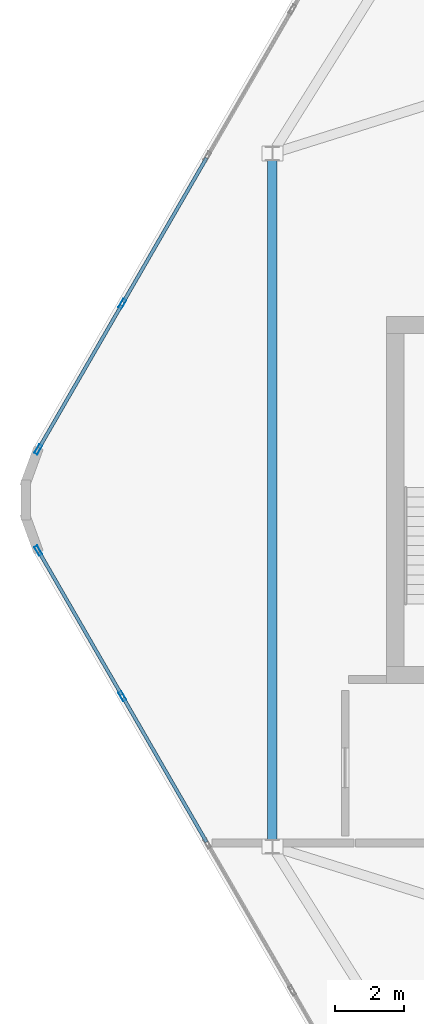
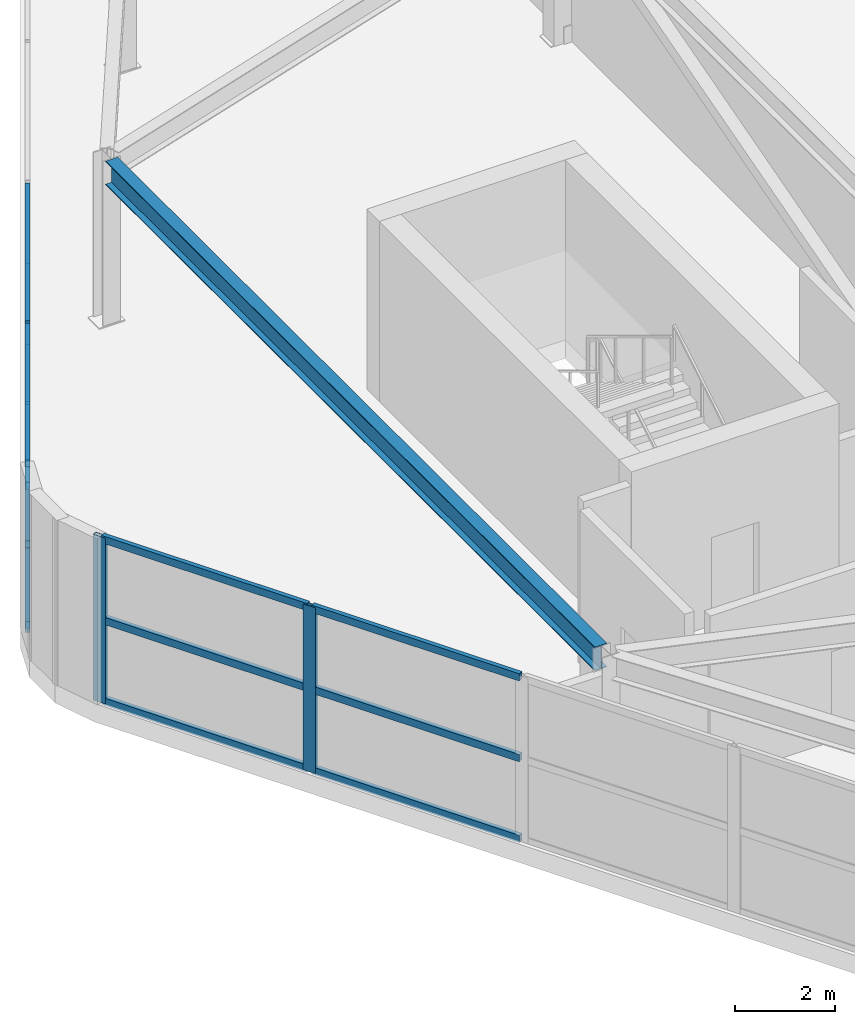
# One storey, part 5 of 17: 16 members, 1 beam, 2 elements without a shape of their own.
"""IFC4 building model written with IfcOpenShell, lengths in metres."""

import ifcopenshell
import ifcopenshell.guid

model = None  # the IFC model being written
_history = None  # IfcOwnerHistory: only IFC2X3 demands one
_inside = {}  # id of a spatial element -> (the spatial element, [elements in it])
_under = {}  # id of a project, library or spatial element -> (it, [spatial elements below it])
_declared = {}  # id of a project -> (the project, [libraries it declares])
_typed = {}  # id of a type object -> (the type object, [elements of that type])
_made_of = {}  # id of a material, layer set ... -> (it, [elements and type objects made of it])


def new_model(schema):
    """Start an empty IFC model of exactly this schema.

    Asked for "IFC4X3", IfcOpenShell would pick the latest addendum, in which some entities
    have other attributes; the version numbers below select the first issue.
    IFC2X3 requires an IfcOwnerHistory on every rooted entity: one is made here for all.
    """
    global model, _history
    if schema == "IFC4X3":
        model = ifcopenshell.file(schema_version=(4, 3, 0, 0))
    else:
        model = ifcopenshell.file(schema=schema)
    _inside.clear()
    _under.clear()
    _declared.clear()
    _typed.clear()
    _made_of.clear()
    _history = None
    if model.schema == "IFC2X3":
        org = make("IfcOrganization", Name="unknown")
        user = make(
            "IfcPersonAndOrganization",
            ThePerson=make("IfcPerson", FamilyName="unknown"),
            TheOrganization=org,
        )
        app = make(
            "IfcApplication",
            ApplicationDeveloper=org,
            Version="unknown",
            ApplicationFullName="unknown",
            ApplicationIdentifier="unknown",
        )
        _history = make(
            "IfcOwnerHistory",
            OwningUser=user,
            OwningApplication=app,
            ChangeAction="ADDED",
            CreationDate=0,
        )
    return model


def make(cls, **values):
    """One entity of the class cls with the attributes given. An attribute that is None is left unset."""
    return model.create_entity(
        cls, **{name: value for name, value in values.items() if value is not None}
    )


def rooted(cls, **values):
    """An entity with a GlobalId (a new one), such as an element, a storey or a relation."""
    return make(cls, GlobalId=ifcopenshell.guid.new(), OwnerHistory=_history, **values)


def si_unit(unit_type, name, prefix=None):
    """IfcSIUnit, for example si_unit("LENGTHUNIT", "METRE", prefix="MILLI")."""
    return make("IfcSIUnit", UnitType=unit_type, Prefix=prefix, Name=name)


def assignment(units):
    """IfcUnitAssignment: the units of a project."""
    return None if units is None else make("IfcUnitAssignment", Units=units)


def point(xyz):
    """IfcCartesianPoint."""
    return None if xyz is None else make("IfcCartesianPoint", Coordinates=xyz)


def direction(xyz):
    """IfcDirection."""
    return None if xyz is None else make("IfcDirection", DirectionRatios=xyz)


def frame(location, z_axis=None, x_axis=None):
    """IfcAxis2Placement3D, a coordinate frame: its origin and axes. An axis left out is left unset."""
    return make(
        "IfcAxis2Placement3D",
        Location=point(location),
        Axis=direction(z_axis),
        RefDirection=direction(x_axis),
    )


def frame_2d(location, x_axis=None):
    """IfcAxis2Placement2D, a coordinate frame in the plane: its origin and x axis."""
    return make(
        "IfcAxis2Placement2D", Location=point(location), RefDirection=direction(x_axis)
    )


def origin():
    """The frame at (0, 0, 0) with its axes left unset."""
    return frame((0.0, 0.0, 0.0))


def origin_2d():
    """The frame at (0, 0) in the plane with its x axis left unset."""
    return frame_2d((0.0, 0.0))


def place(relative_to, where):
    """IfcLocalPlacement: puts the frame where relative to a parent placement (None: the world)."""
    return make(
        "IfcLocalPlacement", PlacementRelTo=relative_to, RelativePlacement=where
    )


def context(
    kind, dimensions, precision=None, world=None, true_north=None, identifier=None
):
    """IfcGeometricRepresentationContext, for example the 3D "Model" context."""
    return make(
        "IfcGeometricRepresentationContext",
        ContextIdentifier=identifier,
        ContextType=kind,
        CoordinateSpaceDimension=dimensions,
        Precision=precision,
        WorldCoordinateSystem=world,
        TrueNorth=true_north,
    )


def subcontext(parent, identifier, kind, view, scale=None):
    """IfcGeometricRepresentationSubContext, for example "Body" below "Model"."""
    return make(
        "IfcGeometricRepresentationSubContext",
        ContextIdentifier=identifier,
        ContextType=kind,
        ParentContext=parent,
        TargetScale=scale,
        TargetView=view,
    )


def project(units=None, contexts=None):
    """IfcProject with its units and contexts."""
    return rooted(
        "IfcProject",
        Name="project",
        RepresentationContexts=contexts,
        UnitsInContext=assignment(units),
    )


def spatial(cls, under=None, at=None, **own):
    """A site, building, storey or space (cls), placed at a placement, below another one or the project."""
    s = rooted(cls, ObjectPlacement=at, **own)
    if under is not None:
        _under.setdefault(under.id(), (under, []))[1].append(s)
    return s


def profile(cls, at=None, kind="AREA", **sizes):
    """A parametric profile (cls). Its sizes go by their IFC names, for example OverallWidth=200.0."""
    return make(cls, ProfileType=kind, Position=at, **sizes)


def hollow_rectangle(**sizes):
    """IfcRectangleHollowProfileDef."""
    return profile("IfcRectangleHollowProfileDef", **sizes)


def i_section(**sizes):
    """IfcIShapeProfileDef."""
    return profile("IfcIShapeProfileDef", **sizes)


def extrude(swept, where, along, depth):
    """IfcExtrudedAreaSolid: the profile swept, set in the frame where, extruded along a direction by depth."""
    return make(
        "IfcExtrudedAreaSolid",
        SweptArea=swept,
        Position=where,
        ExtrudedDirection=direction(along),
        Depth=depth,
    )


def shape(context_of_items, identifier, shape_type, items):
    """IfcShapeRepresentation: the items that make up one representation, for example the "Body"."""
    return make(
        "IfcShapeRepresentation",
        ContextOfItems=context_of_items,
        RepresentationIdentifier=identifier,
        RepresentationType=shape_type,
        Items=items,
    )


def material(Name=None, Category=None):
    """IfcMaterial."""
    return make("IfcMaterial", Name=Name, Category=Category)


def material_profile(
    of_material, cross_section, Name=None, Category=None, Priority=None
):
    """IfcMaterialProfile: a cross section and its material."""
    return make(
        "IfcMaterialProfile",
        Name=Name,
        Material=of_material,
        Profile=cross_section,
        Priority=Priority,
        Category=Category,
    )


def profile_set(profiles, Name=None, composite=None):
    """IfcMaterialProfileSet."""
    return make(
        "IfcMaterialProfileSet",
        Name=Name,
        MaterialProfiles=profiles,
        CompositeProfile=composite,
    )


def made_of(thing, what):
    """Note that an element or type object is made of a material, layer set ...; save() writes the relation."""
    if what is not None:
        _made_of.setdefault(what.id(), (what, []))[1].append(thing)
    return thing


def type_object(cls, material=None, **own):
    """A type object (cls), such as IfcWallType, which elements share."""
    return made_of(rooted(cls, **own), material)


def element(
    cls,
    number,
    at=None,
    inside=None,
    cuts=None,
    type_object=None,
    material=None,
    context=None,
    identifier="Body",
    shape_type=None,
    held_by="IfcProductDefinitionShape",
    body=None,
    shapes=None,
    **own,
):
    """One element of the class cls, such as IfcWall. Its Tag is "e" and its number.

    at: its placement. inside: the storey or other place that contains it. cuts: it is an
    opening in that element (IfcRelVoidsElement). A single representation is given by context,
    identifier, shape_type and body (its items); several are given by shapes. held_by: the class
    of the entity that holds the representations. save() writes the other relations.
    """
    e = rooted(cls, Tag="e%d" % number, ObjectPlacement=at, **own)
    if body is not None:
        shapes = [shape(context, identifier, shape_type, body)]
    if shapes is not None:
        e.Representation = make(held_by, Representations=shapes)
    if inside is not None:
        _inside.setdefault(inside.id(), (inside, []))[1].append(e)
    if cuts is not None:
        rooted(
            "IfcRelVoidsElement", RelatingBuildingElement=cuts, RelatedOpeningElement=e
        )
    if type_object is not None:
        _typed.setdefault(type_object.id(), (type_object, []))[1].append(e)
    return made_of(e, material)


def aggregate(whole, parts):
    """IfcRelAggregates: a whole, such as a stair, and the parts it consists of."""
    return rooted("IfcRelAggregates", RelatingObject=whole, RelatedObjects=parts)


def save(model, path):
    """Write the relations noted so far, then the file.

    IfcRelAggregates (storeys below a building ...), IfcRelContainedInSpatialStructure (elements
    in a storey), IfcRelDefinesByType, IfcRelAssociatesMaterial and IfcRelDeclares: one each for
    every whole, place, type object, material and project.
    """
    for whole, parts in _under.values():
        aggregate(whole, parts)
    for where, things in _inside.values():
        rooted(
            "IfcRelContainedInSpatialStructure",
            RelatedElements=things,
            RelatingStructure=where,
        )
    for kind, things in _typed.values():
        rooted("IfcRelDefinesByType", RelatedObjects=things, RelatingType=kind)
    for what, things in _made_of.values():
        rooted("IfcRelAssociatesMaterial", RelatedObjects=things, RelatingMaterial=what)
    for by, libraries in _declared.values():
        rooted("IfcRelDeclares", RelatingContext=by, RelatedDefinitions=libraries)
    model.write(path)


model = new_model("IFC4")

# Units and contexts
model_context = context("Model", 3, precision=1e-05, world=origin(), true_north=direction((0.0, 1.0)))
body_context = subcontext(model_context, "Body", "Model", "MODEL_VIEW")
ifc_project = project(units=[si_unit("LENGTHUNIT", "METRE"), si_unit("AREAUNIT", "SQUARE_METRE"), si_unit("VOLUMEUNIT", "CUBIC_METRE"), si_unit("PLANEANGLEUNIT", "RADIAN"), si_unit("MASSUNIT", "GRAM", prefix="KILO")], contexts=[model_context])

# Site, building, storey
site_placement = place(None, origin())
site = spatial("IfcSite", under=ifc_project, at=site_placement, CompositionType="ELEMENT")
building_placement = place(site_placement, origin())
building = spatial("IfcBuilding", under=site, at=building_placement, Name="Zuhravey Tower", CompositionType="ELEMENT")
storey_placement = place(building_placement, frame((0.0, 0.0, 361.39990234375)))
storey = spatial("IfcBuildingStorey", under=building, at=storey_placement, Name="L92", CompositionType="ELEMENT", Elevation=361.39990234375)

# Curtain wall, members
ifc_material_1 = material(Name="Thermally broken anodised aluminium", Category="aluminium")
curtain_wall_type = type_object("IfcCurtainWallType", Name="Split-Top Crown Screened Curtain Wall CW6", PredefinedType="NOTDEFINED", material=ifc_material_1)
curtain_wall_1_placement = place(storey_placement, origin())
curtain_wall_1 = element("IfcCurtainWall", 1, at=curtain_wall_1_placement, inside=storey, type_object=curtain_wall_type, Name="L92 CW6 CW6-L92-WEST-04", PredefinedType="NOTDEFINED")
ifc_material_2 = material(Name="Anodised aluminium", Category="aluminium")
ifc_material_profile_1 = material_profile(ifc_material_2, hollow_rectangle(XDim=0.10009765625, YDim=0.2900390625, WallThickness=0.006103515625, at=origin_2d()), Name="ALU-RHS-100x290x6")
ifc_profile_set_1 = profile_set([ifc_material_profile_1], Name="Anodised aluminium")
member_type_1 = type_object("IfcMemberType", Name="Heavy Tall-Storey Mullion 100x220", PredefinedType="MULLION", material=ifc_profile_set_1)
member_1_placement = place(storey_placement, frame((11.471923828125, 26.3359375, 0.0), z_axis=(0.0, 0.0, 1.0), x_axis=(-0.866027063754, -0.499997124838, 0.0)))
member_1 = element("IfcMember", 2, at=member_1_placement, type_object=member_type_1, Name="CW6 mullion 5", PredefinedType="MULLION", context=body_context, shape_type="SweptSolid", body=[
    extrude(hollow_rectangle(XDim=0.10009765625, YDim=0.2900390625, WallThickness=0.006103515625, at=origin_2d()), origin(), (0.0, 0.0, 1.0), 4.050048828125),
])
member_2_placement = place(storey_placement, frame((9.0439453125, 30.541015625, 0.0), z_axis=(0.0, 0.0, 1.0), x_axis=(-0.866027063754, -0.499997124838, 0.0)))
member_2 = element("IfcMember", 3, at=member_2_placement, type_object=member_type_1, Name="CW6 mullion 6", PredefinedType="MULLION", context=body_context, shape_type="SweptSolid", body=[
    extrude(hollow_rectangle(XDim=0.10009765625, YDim=0.2900390625, WallThickness=0.006103515625, at=origin_2d()), origin(), (0.0, 0.0, 1.0), 4.050048828125),
])

curtain_wall_2_placement = place(storey_placement, origin())
curtain_wall_2 = element("IfcCurtainWall", 4, at=curtain_wall_2_placement, inside=storey, type_object=curtain_wall_type, Name="L92 CW6 CW6-L92-WEST-08", PredefinedType="NOTDEFINED")
member_3_placement = place(storey_placement, frame((9.0439453125, 33.458984375, 0.0), z_axis=(0.0, 0.0, 1.0), x_axis=(-0.866027063754, 0.499997124838, 0.0)))
member_3 = element("IfcMember", 5, at=member_3_placement, type_object=member_type_1, Name="CW6 mullion 1", PredefinedType="MULLION", context=body_context, shape_type="SweptSolid", body=[
    extrude(hollow_rectangle(XDim=0.10009765625, YDim=0.2900390625, WallThickness=0.006103515625, at=origin_2d()), origin(), (0.0, 0.0, 1.0), 4.050048828125),
])
member_4_placement = place(storey_placement, frame((11.471923828125, 37.6640625, 0.0), z_axis=(0.0, 0.0, 1.0), x_axis=(-0.866027063754, 0.499997124838, 0.0)))
member_4 = element("IfcMember", 6, at=member_4_placement, type_object=member_type_1, Name="CW6 mullion 2", PredefinedType="MULLION", context=body_context, shape_type="SweptSolid", body=[
    extrude(hollow_rectangle(XDim=0.10009765625, YDim=0.2900390625, WallThickness=0.006103515625, at=origin_2d()), origin(), (0.0, 0.0, 1.0), 4.050048828125),
])

# Beam
ifc_material_3 = material(Name="Steel SM355", Category="steel")
ifc_material_profile_2 = material_profile(ifc_material_3, i_section(OverallWidth=0.280029296875, OverallDepth=0.580078125, WebThickness=0.011962890625, FlangeThickness=0.01904296875, at=origin_2d()), Name="H-580x280x12x19")
ifc_profile_set_2 = profile_set([ifc_material_profile_2], Name="Steel SM355")
beam_type = type_object("IfcBeamType", Name="Perimeter Ring Beam H580x280", PredefinedType="BEAM", material=ifc_profile_set_2)
beam_placement = place(storey_placement, frame((15.800048828125, 22.2041015625, 3.760009765625), z_axis=(0.0, 1.0, 0.0), x_axis=(-1.0, 0.0, 0.0)))
element("IfcBeam", 7, at=beam_placement, inside=storey, type_object=beam_type, Name="L92 PB4 BM-L92-WCR-0-1", PredefinedType="BEAM", context=body_context, shape_type="SweptSolid", body=[
    extrude(i_section(OverallWidth=0.280029296875, OverallDepth=0.580078125, WebThickness=0.011962890625, FlangeThickness=0.01904296875, at=origin_2d()), origin(), (0.0, 0.0, 1.0), 19.591796875),
])

# Member
ifc_material_profile_3 = material_profile(ifc_material_2, hollow_rectangle(XDim=0.10009765625, YDim=0.179931640625, WallThickness=0.006103515625, at=origin_2d()), Name="ALU-RHS-100x180x6")
ifc_profile_set_3 = profile_set([ifc_material_profile_3], Name="Anodised aluminium")
member_type_2 = type_object("IfcMemberType", Name="Tall-Storey Transom 100x180", PredefinedType="USERDEFINED", material=ifc_profile_set_3)
member_5_placement = place(storey_placement, frame((13.89990234375, 22.130615234375, 0.050048828125), z_axis=(-0.50003466983, 0.866005386223, 0.0), x_axis=(-0.866005386223, -0.50003466983, 0.0)))
member_5 = element("IfcMember", 8, at=member_5_placement, type_object=member_type_2, Name="CW6 transom 4.1", ObjectType="TRANSOM", PredefinedType="USERDEFINED", context=body_context, shape_type="SweptSolid", body=[
    extrude(hollow_rectangle(XDim=0.10009765625, YDim=0.179931640625, WallThickness=0.006103515625, at=origin_2d()), origin(), (0.0, 0.0, 1.0), 4.805908203125),
])

member_6_placement = place(storey_placement, frame((13.89990234375, 22.130615234375, 2.025146484375), z_axis=(-0.50003466983, 0.866005386223, 0.0), x_axis=(-0.866005386223, -0.50003466983, 0.0)))
member_6 = element("IfcMember", 9, at=member_6_placement, type_object=member_type_2, Name="CW6 transom 4.2", ObjectType="TRANSOM", PredefinedType="USERDEFINED", context=body_context, shape_type="SweptSolid", body=[
    extrude(hollow_rectangle(XDim=0.10009765625, YDim=0.179931640625, WallThickness=0.006103515625, at=origin_2d()), origin(), (0.0, 0.0, 1.0), 4.805908203125),
])

member_7_placement = place(storey_placement, frame((13.89990234375, 22.130615234375, 4.0), z_axis=(-0.50003466983, 0.866005386223, 0.0), x_axis=(-0.866005386223, -0.50003466983, 0.0)))
member_7 = element("IfcMember", 10, at=member_7_placement, type_object=member_type_2, Name="CW6 transom 4.3", ObjectType="TRANSOM", PredefinedType="USERDEFINED", context=body_context, shape_type="SweptSolid", body=[
    extrude(hollow_rectangle(XDim=0.10009765625, YDim=0.179931640625, WallThickness=0.006103515625, at=origin_2d()), origin(), (0.0, 0.0, 1.0), 4.805908203125),
])

member_8_placement = place(storey_placement, frame((11.447021484375, 26.379150390625, 0.050048828125), z_axis=(-0.500003887042, 0.866023159588, 0.0), x_axis=(-0.866023159588, -0.500003887042, 0.0)))
member_8 = element("IfcMember", 11, at=member_8_placement, type_object=member_type_2, Name="CW6 transom 5.1", ObjectType="TRANSOM", PredefinedType="USERDEFINED", context=body_context, shape_type="SweptSolid", body=[
    extrude(hollow_rectangle(XDim=0.10009765625, YDim=0.179931640625, WallThickness=0.006103515625, at=origin_2d()), origin(), (0.0, 0.0, 1.0), 4.755859375),
])

member_9_placement = place(storey_placement, frame((11.447021484375, 26.379150390625, 2.025146484375), z_axis=(-0.500003887042, 0.866023159588, 0.0), x_axis=(-0.866023159588, -0.500003887042, 0.0)))
member_9 = element("IfcMember", 12, at=member_9_placement, type_object=member_type_2, Name="CW6 transom 5.2", ObjectType="TRANSOM", PredefinedType="USERDEFINED", context=body_context, shape_type="SweptSolid", body=[
    extrude(hollow_rectangle(XDim=0.10009765625, YDim=0.179931640625, WallThickness=0.006103515625, at=origin_2d()), origin(), (0.0, 0.0, 1.0), 4.755859375),
])

member_10_placement = place(storey_placement, frame((11.447021484375, 26.379150390625, 4.0), z_axis=(-0.500003887042, 0.866023159588, 0.0), x_axis=(-0.866023159588, -0.500003887042, 0.0)))
member_10 = element("IfcMember", 13, at=member_10_placement, type_object=member_type_2, Name="CW6 transom 5.3", ObjectType="TRANSOM", PredefinedType="USERDEFINED", context=body_context, shape_type="SweptSolid", body=[
    extrude(hollow_rectangle(XDim=0.10009765625, YDim=0.179931640625, WallThickness=0.006103515625, at=origin_2d()), origin(), (0.0, 0.0, 1.0), 4.755859375),
])

aggregate(curtain_wall_1, [member_1, member_2, member_5, member_6, member_7, member_8, member_9, member_10])

member_11_placement = place(storey_placement, frame((9.069091796875, 33.502197265625, 0.050048828125), z_axis=(0.500003887042, 0.866023159588, 0.0), x_axis=(-0.866023159588, 0.500003887042, 0.0)))
member_11 = element("IfcMember", 14, at=member_11_placement, type_object=member_type_2, Name="CW6 transom 1.1", ObjectType="TRANSOM", PredefinedType="USERDEFINED", context=body_context, shape_type="SweptSolid", body=[
    extrude(hollow_rectangle(XDim=0.10009765625, YDim=0.179931640625, WallThickness=0.006103515625, at=origin_2d()), origin(), (0.0, 0.0, 1.0), 4.755859375),
])

member_12_placement = place(storey_placement, frame((9.069091796875, 33.502197265625, 2.025146484375), z_axis=(0.500003887042, 0.866023159588, 0.0), x_axis=(-0.866023159588, 0.500003887042, 0.0)))
member_12 = element("IfcMember", 15, at=member_12_placement, type_object=member_type_2, Name="CW6 transom 1.2", ObjectType="TRANSOM", PredefinedType="USERDEFINED", context=body_context, shape_type="SweptSolid", body=[
    extrude(hollow_rectangle(XDim=0.10009765625, YDim=0.179931640625, WallThickness=0.006103515625, at=origin_2d()), origin(), (0.0, 0.0, 1.0), 4.755859375),
])

member_13_placement = place(storey_placement, frame((9.069091796875, 33.502197265625, 4.0), z_axis=(0.500003887042, 0.866023159588, 0.0), x_axis=(-0.866023159588, 0.500003887042, 0.0)))
member_13 = element("IfcMember", 16, at=member_13_placement, type_object=member_type_2, Name="CW6 transom 1.3", ObjectType="TRANSOM", PredefinedType="USERDEFINED", context=body_context, shape_type="SweptSolid", body=[
    extrude(hollow_rectangle(XDim=0.10009765625, YDim=0.179931640625, WallThickness=0.006103515625, at=origin_2d()), origin(), (0.0, 0.0, 1.0), 4.755859375),
])

member_14_placement = place(storey_placement, frame((11.496826171875, 37.70751953125, 0.050048828125), z_axis=(0.50003466983, 0.866005386223, 0.0), x_axis=(-0.866005386223, 0.50003466983, 0.0)))
member_14 = element("IfcMember", 17, at=member_14_placement, type_object=member_type_2, Name="CW6 transom 2.1", ObjectType="TRANSOM", PredefinedType="USERDEFINED", context=body_context, shape_type="SweptSolid", body=[
    extrude(hollow_rectangle(XDim=0.10009765625, YDim=0.179931640625, WallThickness=0.006103515625, at=origin_2d()), origin(), (0.0, 0.0, 1.0), 4.805908203125),
])

member_15_placement = place(storey_placement, frame((11.496826171875, 37.70751953125, 2.025146484375), z_axis=(0.50003466983, 0.866005386223, 0.0), x_axis=(-0.866005386223, 0.50003466983, 0.0)))
member_15 = element("IfcMember", 18, at=member_15_placement, type_object=member_type_2, Name="CW6 transom 2.2", ObjectType="TRANSOM", PredefinedType="USERDEFINED", context=body_context, shape_type="SweptSolid", body=[
    extrude(hollow_rectangle(XDim=0.10009765625, YDim=0.179931640625, WallThickness=0.006103515625, at=origin_2d()), origin(), (0.0, 0.0, 1.0), 4.805908203125),
])

member_16_placement = place(storey_placement, frame((11.496826171875, 37.70751953125, 4.0), z_axis=(0.50003466983, 0.866005386223, 0.0), x_axis=(-0.866005386223, 0.50003466983, 0.0)))
member_16 = element("IfcMember", 19, at=member_16_placement, type_object=member_type_2, Name="CW6 transom 2.3", ObjectType="TRANSOM", PredefinedType="USERDEFINED", context=body_context, shape_type="SweptSolid", body=[
    extrude(hollow_rectangle(XDim=0.10009765625, YDim=0.179931640625, WallThickness=0.006103515625, at=origin_2d()), origin(), (0.0, 0.0, 1.0), 4.805908203125),
])

aggregate(curtain_wall_2, [member_3, member_4, member_11, member_12, member_13, member_14, member_15, member_16])

save(model, "model.ifc")
